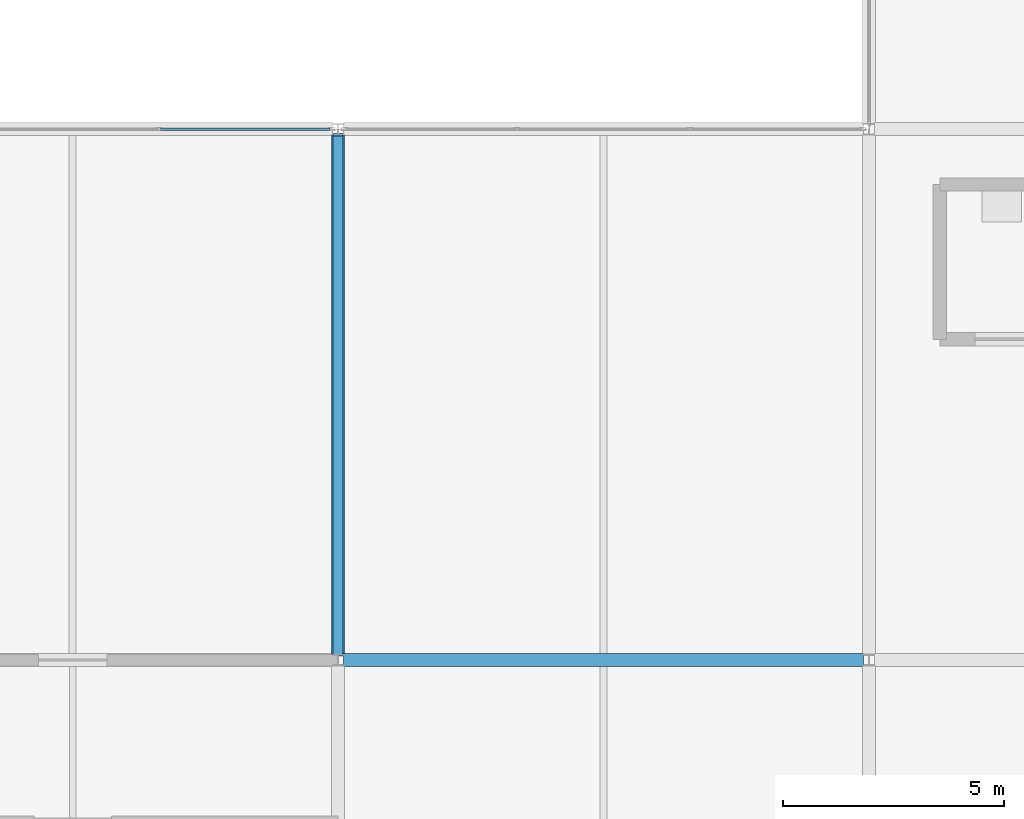
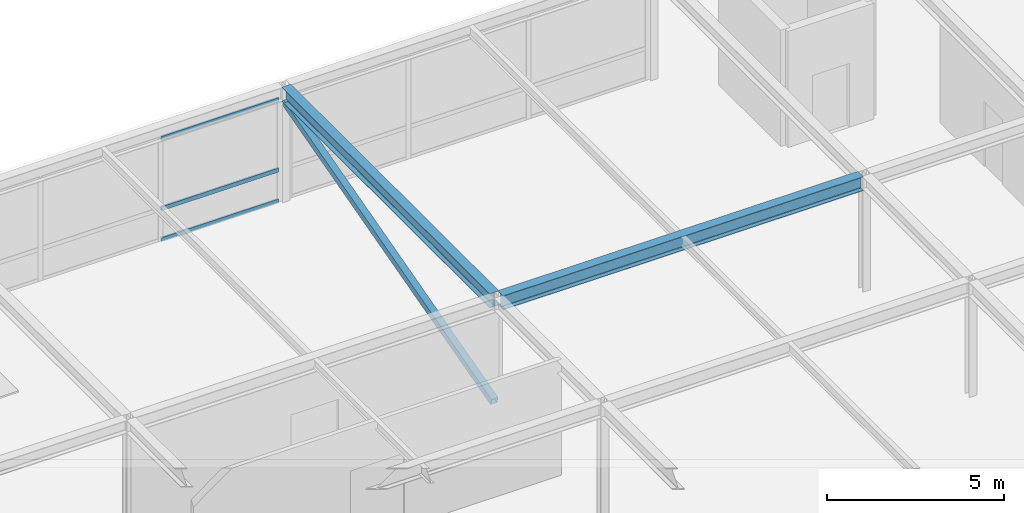
# One storey, part 36 of 111: 4 members, 2 beams, 1 element without a shape of its own.
"""IFC4 building model written with IfcOpenShell, lengths in metres."""

from ifc_helpers import new_model, si_unit, direction, frame, origin, origin_2d, place, context, subcontext, project, spatial, hollow_rectangle, i_section, extrude, material, layer, layer_set, material_profile, profile_set, type_object, element, aggregate, save


model = new_model("IFC4")

# Units and contexts
model_context = context("Model", 3, precision=1e-05, world=origin(), true_north=direction((0.0, 1.0)))
body_context = subcontext(model_context, "Body", "Model", "MODEL_VIEW")
ifc_project = project(units=[si_unit("LENGTHUNIT", "METRE"), si_unit("AREAUNIT", "SQUARE_METRE"), si_unit("VOLUMEUNIT", "CUBIC_METRE"), si_unit("PLANEANGLEUNIT", "RADIAN"), si_unit("MASSUNIT", "GRAM", prefix="KILO")], contexts=[model_context])

# Site, building, storey
site_placement = place(None, origin())
site = spatial("IfcSite", under=ifc_project, at=site_placement, CompositionType="ELEMENT")
building_placement = place(site_placement, origin())
building = spatial("IfcBuilding", under=site, at=building_placement, Name="Zlatovratsky Civic Hall", CompositionType="ELEMENT")
storey_placement = place(building_placement, frame((0.0, 0.0, 16.5)))
storey = spatial("IfcBuildingStorey", under=building, at=storey_placement, Name="L04", CompositionType="ELEMENT", Elevation=16.5)

# Beams
ifc_material_1 = material(Name="Steel S355", Category="steel")
ifc_material_profile_1 = material_profile(ifc_material_1, i_section(OverallWidth=0.300048828125, OverallDepth=0.487060546875, WebThickness=0.014404296875, FlangeThickness=0.017578125, FilletRadius=0.02392578125, at=origin_2d()), Name="50Sh2")
ifc_profile_set_1 = profile_set([ifc_material_profile_1], Name="Steel S355")
beam_type = type_object("IfcBeamType", Name="Beam_ArchiveGirder_50Sh2", PredefinedType="BEAM", material=ifc_profile_set_1)
for number, where, z_axis, x_axis, name in (
    (1, (36.125, 18.0, 3.756591796875), (1.0, 0.0, 0.0), (0.0, 1.0, 0.0), "BM-3238"),
    (2, (36.0, 18.125, 3.756591796875), (0.0, 1.0, 0.0), (-1.0, 0.0, 0.0), "BM-3576"),
):
    element("IfcBeam", number, at=place(storey_placement, frame(where, z_axis=z_axis, x_axis=x_axis)), inside=storey, type_object=beam_type, Name=name, PredefinedType="BEAM", context=body_context, shape_type="SweptSolid", body=[
        extrude(i_section(OverallWidth=0.300048828125, OverallDepth=0.487060546875, WebThickness=0.014404296875, FlangeThickness=0.017578125, FilletRadius=0.02392578125, at=origin_2d()), origin(), (0.0, 0.0, 1.0), 11.75),
    ])

# Member
ifc_material_profile_2 = material_profile(ifc_material_1, hollow_rectangle(XDim=0.219970703125, YDim=0.219970703125, WallThickness=0.010009765625, at=origin_2d()), Name="SHS 220x220x10")
ifc_profile_set_2 = profile_set([ifc_material_profile_2], Name="Steel S355")
member_type_1 = type_object("IfcMemberType", Name="Brace_Podium_SHS220", PredefinedType="BRACE", material=ifc_profile_set_2)
member_1_placement = place(storey_placement, frame((36.0, 18.125, 0.25), z_axis=(0.0, 0.964859524035, 0.262766243798), x_axis=(-1.0, 0.0, 0.0)))
element("IfcMember", 3, at=member_1_placement, inside=storey, type_object=member_type_1, Name="MB-0120", PredefinedType="BRACE", context=body_context, shape_type="SweptSolid", body=[
    extrude(hollow_rectangle(XDim=0.219970703125, YDim=0.219970703125, WallThickness=0.010009765625, at=origin_2d()), origin(), (0.0, 0.0, 1.0), 12.177978515625),
])

# Curtain wall, members
ifc_material_2 = material(Name="Anodised bronze aluminium", Category="aluminium")
ifc_layer = layer(ifc_material_2, 0.159912109375)
ifc_layer_set = layer_set([ifc_layer], Name="Anodised bronze aluminium")
curtain_wall_type = type_object("IfcCurtainWallType", Name="CurtainWall_Bronze_11750x3550_17", PredefinedType="NOTDEFINED", material=ifc_layer_set)
curtain_wall_placement = place(storey_placement, origin())
curtain_wall = element("IfcCurtainWall", 4, at=curtain_wall_placement, inside=storey, type_object=curtain_wall_type, Name="CW-094", PredefinedType="NOTDEFINED")
ifc_material_profile_3 = material_profile(ifc_material_2, hollow_rectangle(XDim=0.06005859375, YDim=0.139892578125, WallThickness=0.00390625, at=origin_2d()), Name="ALU 60x140x4")
ifc_profile_set_3 = profile_set([ifc_material_profile_3], Name="Anodised bronze aluminium")
member_type_2 = type_object("IfcMemberType", Name="CW_Transom_60x140", PredefinedType="USERDEFINED", material=ifc_profile_set_3)
member_2_placement = place(storey_placement, frame((31.98828125, 30.0, 0.030029296875), z_axis=(1.0, 0.0, 0.0), x_axis=(0.0, 1.0, 0.0)))
member_2 = element("IfcMember", 5, at=member_2_placement, type_object=member_type_2, Name="CW-17 transom 3.1", ObjectType="TRANSOM", PredefinedType="USERDEFINED", context=body_context, shape_type="SweptSolid", body=[
    extrude(hollow_rectangle(XDim=0.06005859375, YDim=0.139892578125, WallThickness=0.00390625, at=origin_2d()), origin(), (0.0, 0.0, 1.0), 3.82666015625),
])
member_3_placement = place(storey_placement, frame((31.98828125, 30.0, 1.10009765625), z_axis=(1.0, 0.0, 0.0), x_axis=(0.0, 1.0, 0.0)))
member_3 = element("IfcMember", 6, at=member_3_placement, type_object=member_type_2, Name="CW-17 transom 3.2", ObjectType="TRANSOM", PredefinedType="USERDEFINED", context=body_context, shape_type="SweptSolid", body=[
    extrude(hollow_rectangle(XDim=0.06005859375, YDim=0.139892578125, WallThickness=0.00390625, at=origin_2d()), origin(), (0.0, 0.0, 1.0), 3.82666015625),
])
member_4_placement = place(storey_placement, frame((31.98828125, 30.0, 3.52001953125), z_axis=(1.0, 0.0, 0.0), x_axis=(0.0, 1.0, 0.0)))
member_4 = element("IfcMember", 7, at=member_4_placement, type_object=member_type_2, Name="CW-17 transom 3.3", ObjectType="TRANSOM", PredefinedType="USERDEFINED", context=body_context, shape_type="SweptSolid", body=[
    extrude(hollow_rectangle(XDim=0.06005859375, YDim=0.139892578125, WallThickness=0.00390625, at=origin_2d()), origin(), (0.0, 0.0, 1.0), 3.82666015625),
])
aggregate(curtain_wall, [member_2, member_3, member_4])

save(model, "model.ifc")
